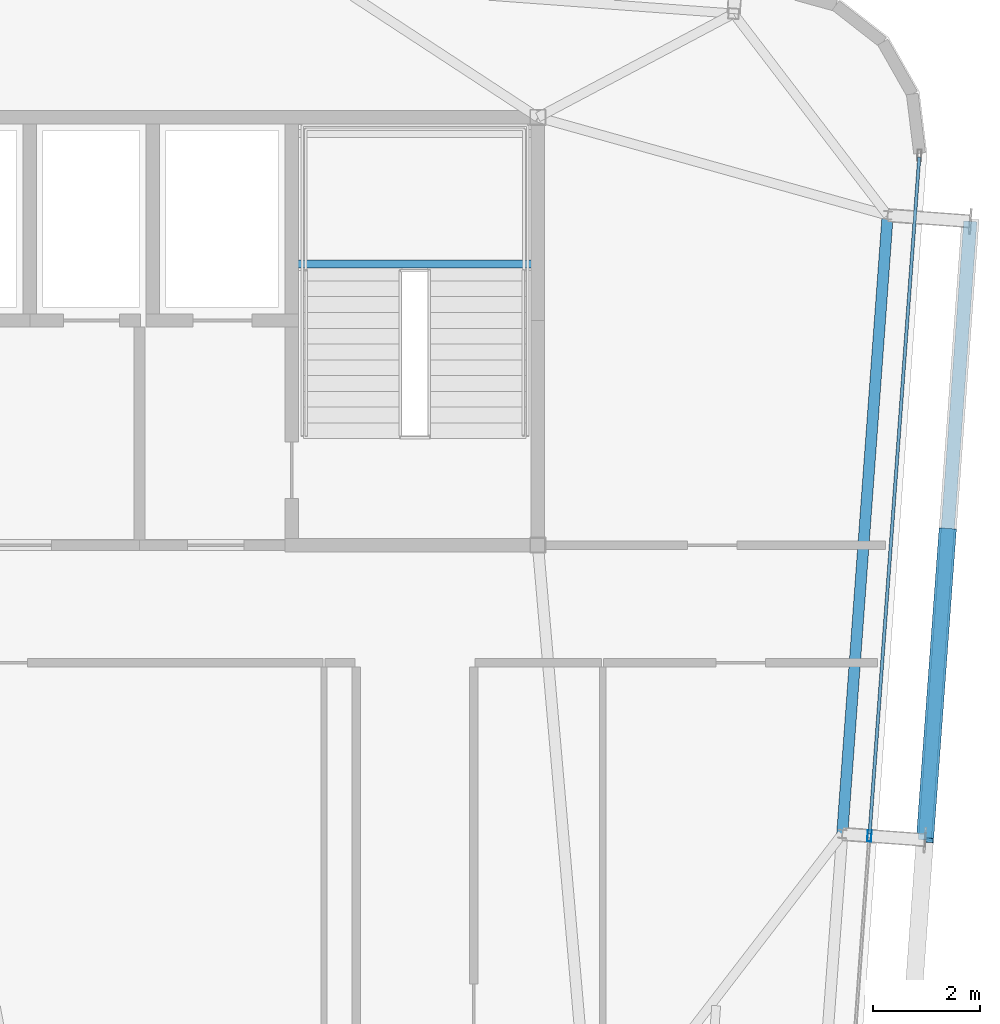
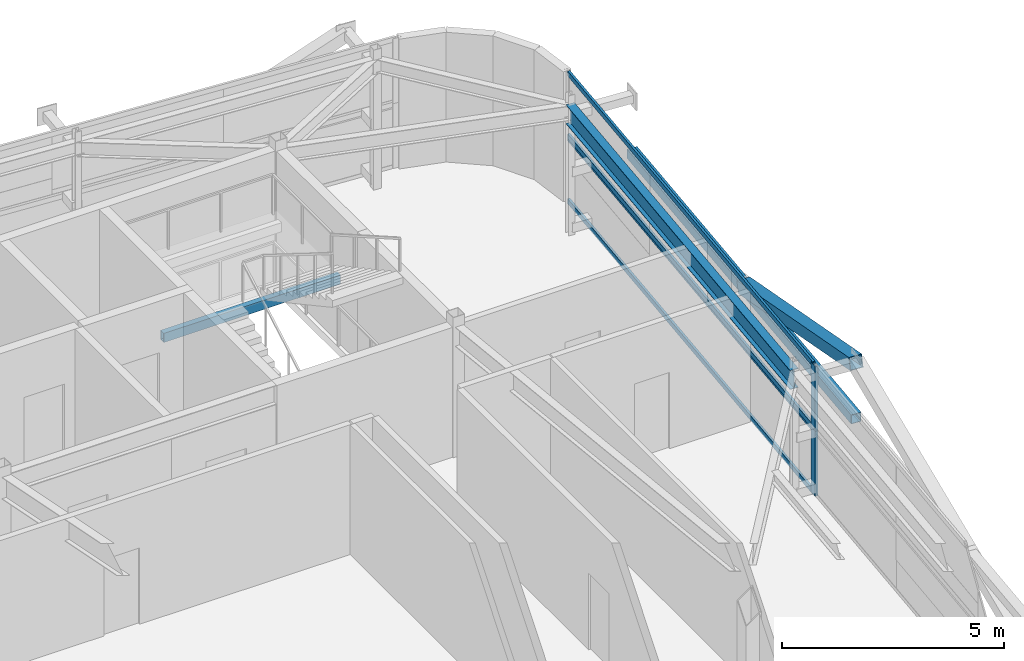
# One storey, part 17 of 35: 8 members, 2 beams, 2 elements without a shape of their own.
"""IFC4 building model written with IfcOpenShell, lengths in metres."""

import ifcopenshell
import ifcopenshell.guid

model = None  # the IFC model being written
_history = None  # IfcOwnerHistory: only IFC2X3 demands one
_inside = {}  # id of a spatial element -> (the spatial element, [elements in it])
_under = {}  # id of a project, library or spatial element -> (it, [spatial elements below it])
_declared = {}  # id of a project -> (the project, [libraries it declares])
_typed = {}  # id of a type object -> (the type object, [elements of that type])
_made_of = {}  # id of a material, layer set ... -> (it, [elements and type objects made of it])


def new_model(schema):
    """Start an empty IFC model of exactly this schema.

    Asked for "IFC4X3", IfcOpenShell would pick the latest addendum, in which some entities
    have other attributes; the version numbers below select the first issue.
    IFC2X3 requires an IfcOwnerHistory on every rooted entity: one is made here for all.
    """
    global model, _history
    if schema == "IFC4X3":
        model = ifcopenshell.file(schema_version=(4, 3, 0, 0))
    else:
        model = ifcopenshell.file(schema=schema)
    _inside.clear()
    _under.clear()
    _declared.clear()
    _typed.clear()
    _made_of.clear()
    _history = None
    if model.schema == "IFC2X3":
        org = make("IfcOrganization", Name="unknown")
        user = make(
            "IfcPersonAndOrganization",
            ThePerson=make("IfcPerson", FamilyName="unknown"),
            TheOrganization=org,
        )
        app = make(
            "IfcApplication",
            ApplicationDeveloper=org,
            Version="unknown",
            ApplicationFullName="unknown",
            ApplicationIdentifier="unknown",
        )
        _history = make(
            "IfcOwnerHistory",
            OwningUser=user,
            OwningApplication=app,
            ChangeAction="ADDED",
            CreationDate=0,
        )
    return model


def make(cls, **values):
    """One entity of the class cls with the attributes given. An attribute that is None is left unset."""
    return model.create_entity(
        cls, **{name: value for name, value in values.items() if value is not None}
    )


def rooted(cls, **values):
    """An entity with a GlobalId (a new one), such as an element, a storey or a relation."""
    return make(cls, GlobalId=ifcopenshell.guid.new(), OwnerHistory=_history, **values)


def si_unit(unit_type, name, prefix=None):
    """IfcSIUnit, for example si_unit("LENGTHUNIT", "METRE", prefix="MILLI")."""
    return make("IfcSIUnit", UnitType=unit_type, Prefix=prefix, Name=name)


def assignment(units):
    """IfcUnitAssignment: the units of a project."""
    return None if units is None else make("IfcUnitAssignment", Units=units)


def point(xyz):
    """IfcCartesianPoint."""
    return None if xyz is None else make("IfcCartesianPoint", Coordinates=xyz)


def direction(xyz):
    """IfcDirection."""
    return None if xyz is None else make("IfcDirection", DirectionRatios=xyz)


def frame(location, z_axis=None, x_axis=None):
    """IfcAxis2Placement3D, a coordinate frame: its origin and axes. An axis left out is left unset."""
    return make(
        "IfcAxis2Placement3D",
        Location=point(location),
        Axis=direction(z_axis),
        RefDirection=direction(x_axis),
    )


def frame_2d(location, x_axis=None):
    """IfcAxis2Placement2D, a coordinate frame in the plane: its origin and x axis."""
    return make(
        "IfcAxis2Placement2D", Location=point(location), RefDirection=direction(x_axis)
    )


def origin():
    """The frame at (0, 0, 0) with its axes left unset."""
    return frame((0.0, 0.0, 0.0))


def origin_2d():
    """The frame at (0, 0) in the plane with its x axis left unset."""
    return frame_2d((0.0, 0.0))


def place(relative_to, where):
    """IfcLocalPlacement: puts the frame where relative to a parent placement (None: the world)."""
    return make(
        "IfcLocalPlacement", PlacementRelTo=relative_to, RelativePlacement=where
    )


def context(
    kind, dimensions, precision=None, world=None, true_north=None, identifier=None
):
    """IfcGeometricRepresentationContext, for example the 3D "Model" context."""
    return make(
        "IfcGeometricRepresentationContext",
        ContextIdentifier=identifier,
        ContextType=kind,
        CoordinateSpaceDimension=dimensions,
        Precision=precision,
        WorldCoordinateSystem=world,
        TrueNorth=true_north,
    )


def subcontext(parent, identifier, kind, view, scale=None):
    """IfcGeometricRepresentationSubContext, for example "Body" below "Model"."""
    return make(
        "IfcGeometricRepresentationSubContext",
        ContextIdentifier=identifier,
        ContextType=kind,
        ParentContext=parent,
        TargetScale=scale,
        TargetView=view,
    )


def project(units=None, contexts=None):
    """IfcProject with its units and contexts."""
    return rooted(
        "IfcProject",
        Name="project",
        RepresentationContexts=contexts,
        UnitsInContext=assignment(units),
    )


def spatial(cls, under=None, at=None, **own):
    """A site, building, storey or space (cls), placed at a placement, below another one or the project."""
    s = rooted(cls, ObjectPlacement=at, **own)
    if under is not None:
        _under.setdefault(under.id(), (under, []))[1].append(s)
    return s


def profile(cls, at=None, kind="AREA", **sizes):
    """A parametric profile (cls). Its sizes go by their IFC names, for example OverallWidth=200.0."""
    return make(cls, ProfileType=kind, Position=at, **sizes)


def hollow_rectangle(**sizes):
    """IfcRectangleHollowProfileDef."""
    return profile("IfcRectangleHollowProfileDef", **sizes)


def i_section(**sizes):
    """IfcIShapeProfileDef."""
    return profile("IfcIShapeProfileDef", **sizes)


def extrude(swept, where, along, depth):
    """IfcExtrudedAreaSolid: the profile swept, set in the frame where, extruded along a direction by depth."""
    return make(
        "IfcExtrudedAreaSolid",
        SweptArea=swept,
        Position=where,
        ExtrudedDirection=direction(along),
        Depth=depth,
    )


def shape(context_of_items, identifier, shape_type, items):
    """IfcShapeRepresentation: the items that make up one representation, for example the "Body"."""
    return make(
        "IfcShapeRepresentation",
        ContextOfItems=context_of_items,
        RepresentationIdentifier=identifier,
        RepresentationType=shape_type,
        Items=items,
    )


def source(mapping_origin, context_of_items, identifier, shape_type, items):
    """IfcRepresentationMap: a shape defined once, which mapped items show again and again."""
    return make(
        "IfcRepresentationMap",
        MappingOrigin=mapping_origin,
        MappedRepresentation=shape(context_of_items, identifier, shape_type, items),
    )


def transform(
    local_origin,
    x_axis=None,
    y_axis=None,
    z_axis=None,
    scale=None,
    scale2=None,
    scale3=None,
    uniform=True,
):
    """IfcCartesianTransformationOperator3D, or its non-uniform kind. x_axis, y_axis, z_axis: its Axis1, 2, 3."""
    if uniform:
        return make(
            "IfcCartesianTransformationOperator3D",
            Axis1=direction(x_axis),
            Axis2=direction(y_axis),
            LocalOrigin=point(local_origin),
            Scale=scale,
            Axis3=direction(z_axis),
        )
    return make(
        "IfcCartesianTransformationOperator3DnonUniform",
        Axis1=direction(x_axis),
        Axis2=direction(y_axis),
        LocalOrigin=point(local_origin),
        Scale=scale,
        Axis3=direction(z_axis),
        Scale2=scale2,
        Scale3=scale3,
    )


def mapped(mapping_source, mapping_target):
    """IfcMappedItem: shows the shape of a source again, moved by a transform."""
    return make(
        "IfcMappedItem", MappingSource=mapping_source, MappingTarget=mapping_target
    )


def material(Name=None, Category=None):
    """IfcMaterial."""
    return make("IfcMaterial", Name=Name, Category=Category)


def layer(
    of_material, thickness, ventilated=None, Name=None, Category=None, Priority=None
):
    """IfcMaterialLayer: one layer of a wall or slab, of a material (None: an air gap)."""
    return make(
        "IfcMaterialLayer",
        Material=of_material,
        LayerThickness=thickness,
        IsVentilated=ventilated,
        Name=Name,
        Category=Category,
        Priority=Priority,
    )


def layer_set(layers, Name=None):
    """IfcMaterialLayerSet."""
    return make("IfcMaterialLayerSet", MaterialLayers=layers, LayerSetName=Name)


def material_profile(
    of_material, cross_section, Name=None, Category=None, Priority=None
):
    """IfcMaterialProfile: a cross section and its material."""
    return make(
        "IfcMaterialProfile",
        Name=Name,
        Material=of_material,
        Profile=cross_section,
        Priority=Priority,
        Category=Category,
    )


def profile_set(profiles, Name=None, composite=None):
    """IfcMaterialProfileSet."""
    return make(
        "IfcMaterialProfileSet",
        Name=Name,
        MaterialProfiles=profiles,
        CompositeProfile=composite,
    )


def made_of(thing, what):
    """Note that an element or type object is made of a material, layer set ...; save() writes the relation."""
    if what is not None:
        _made_of.setdefault(what.id(), (what, []))[1].append(thing)
    return thing


def type_object(cls, material=None, **own):
    """A type object (cls), such as IfcWallType, which elements share."""
    return made_of(rooted(cls, **own), material)


def element(
    cls,
    number,
    at=None,
    inside=None,
    cuts=None,
    type_object=None,
    material=None,
    context=None,
    identifier="Body",
    shape_type=None,
    held_by="IfcProductDefinitionShape",
    body=None,
    shapes=None,
    **own,
):
    """One element of the class cls, such as IfcWall. Its Tag is "e" and its number.

    at: its placement. inside: the storey or other place that contains it. cuts: it is an
    opening in that element (IfcRelVoidsElement). A single representation is given by context,
    identifier, shape_type and body (its items); several are given by shapes. held_by: the class
    of the entity that holds the representations. save() writes the other relations.
    """
    e = rooted(cls, Tag="e%d" % number, ObjectPlacement=at, **own)
    if body is not None:
        shapes = [shape(context, identifier, shape_type, body)]
    if shapes is not None:
        e.Representation = make(held_by, Representations=shapes)
    if inside is not None:
        _inside.setdefault(inside.id(), (inside, []))[1].append(e)
    if cuts is not None:
        rooted(
            "IfcRelVoidsElement", RelatingBuildingElement=cuts, RelatedOpeningElement=e
        )
    if type_object is not None:
        _typed.setdefault(type_object.id(), (type_object, []))[1].append(e)
    return made_of(e, material)


def aggregate(whole, parts):
    """IfcRelAggregates: a whole, such as a stair, and the parts it consists of."""
    return rooted("IfcRelAggregates", RelatingObject=whole, RelatedObjects=parts)


def save(model, path):
    """Write the relations noted so far, then the file.

    IfcRelAggregates (storeys below a building ...), IfcRelContainedInSpatialStructure (elements
    in a storey), IfcRelDefinesByType, IfcRelAssociatesMaterial and IfcRelDeclares: one each for
    every whole, place, type object, material and project.
    """
    for whole, parts in _under.values():
        aggregate(whole, parts)
    for where, things in _inside.values():
        rooted(
            "IfcRelContainedInSpatialStructure",
            RelatedElements=things,
            RelatingStructure=where,
        )
    for kind, things in _typed.values():
        rooted("IfcRelDefinesByType", RelatedObjects=things, RelatingType=kind)
    for what, things in _made_of.values():
        rooted("IfcRelAssociatesMaterial", RelatedObjects=things, RelatingMaterial=what)
    for by, libraries in _declared.values():
        rooted("IfcRelDeclares", RelatingContext=by, RelatedDefinitions=libraries)
    model.write(path)


model = new_model("IFC4")

# Units and contexts
model_context = context("Model", 3, precision=1e-05, world=origin(), true_north=direction((0.0, 1.0)))
body_context = subcontext(model_context, "Body", "Model", "MODEL_VIEW")
ifc_project = project(units=[si_unit("LENGTHUNIT", "METRE"), si_unit("AREAUNIT", "SQUARE_METRE"), si_unit("VOLUMEUNIT", "CUBIC_METRE"), si_unit("PLANEANGLEUNIT", "RADIAN"), si_unit("MASSUNIT", "GRAM", prefix="KILO")], contexts=[model_context])

# Site, building, storey
site_placement = place(None, origin())
site = spatial("IfcSite", under=ifc_project, at=site_placement, CompositionType="ELEMENT")
building_placement = place(site_placement, origin())
building = spatial("IfcBuilding", under=site, at=building_placement, Name="Taldren Reach Tower", CompositionType="ELEMENT")
storey_placement = place(building_placement, frame((0.0, 0.0, 249.199951171875)))
storey = spatial("IfcBuildingStorey", under=building, at=storey_placement, Name="L76", CompositionType="ELEMENT", Elevation=249.199951171875)

# Beam
ifc_material_1 = material(Name="Steel Gr 350 (350PLUS)", Category="steel")
ifc_material_profile_1 = material_profile(ifc_material_1, i_section(OverallWidth=0.208984375, OverallDepth=0.528076171875, WebThickness=0.009521484375, FlangeThickness=0.01318359375, at=origin_2d()), Name="530UB82.0")
ifc_profile_set_1 = profile_set([ifc_material_profile_1], Name="Steel Gr 350 (350PLUS)")
beam_type_1 = type_object("IfcBeamType", Name="SP-UB530B", PredefinedType="SPANDREL", material=ifc_profile_set_1)
shared_shape_1 = source(origin(), body_context, "Body", "SweptSolid", [
    extrude(i_section(OverallWidth=0.208984375, OverallDepth=0.528076171875, WebThickness=0.009521484375, FlangeThickness=0.01318359375, at=origin_2d()), origin(), (0.0, 0.0, 1.0), 11.60009765625),
])
beam_1_placement = place(storey_placement, frame((56.69140625, 18.599853515625, 3.30615234375), z_axis=(0.073221234109, 0.997315722766, 0.0), x_axis=(-0.997315722766, 0.073221234109, 0.0)))
element("IfcBeam", 1, at=beam_1_placement, inside=storey, type_object=beam_type_1, Name="Perimeter spandrel B5 E2-E3 L76", PredefinedType="SPANDREL", context=body_context, shape_type="MappedRepresentation", body=[
    mapped(shared_shape_1, transform((0.0, 0.0, 0.0), scale=1.0)),
])

# Members
ifc_material_2 = material(Name="Steel Gr 350 (C350L0)", Category="steel")
ifc_material_profile_2 = material_profile(ifc_material_2, hollow_rectangle(XDim=0.25, YDim=0.25, WallThickness=0.010009765625, at=origin_2d()), Name="250x250x10.0SHS")
ifc_profile_set_2 = profile_set([ifc_material_profile_2], Name="Steel Gr 350 (C350L0)")
member_type_1 = type_object("IfcMemberType", Name="MB-POST250", PredefinedType="POST", material=ifc_profile_set_2)
shared_shape_2 = source(origin(), body_context, "Body", "SweptSolid", [
    extrude(hollow_rectangle(XDim=0.25, YDim=0.25, WallThickness=0.010009765625, at=origin_2d()), origin(), (0.0, 0.0, 1.0), 11.60009765625),
])
member_1_placement = place(storey_placement, frame((58.237060546875, 18.486328125, 1.755126953125), z_axis=(0.073242167855, 0.997314185625, 0.0), x_axis=(-0.997314185625, 0.073242167855, 0.0)))
element("IfcMember", 2, at=member_1_placement, inside=storey, type_object=member_type_1, Name="Exoskeleton mid-height ring chord B5-E2 L76", PredefinedType="POST", context=body_context, shape_type="MappedRepresentation", body=[
    mapped(shared_shape_2, transform((0.0, 0.0, 0.0), scale=1.0)),
])
ifc_material_3 = material(Name="Steel Gr 450 (C450L0)", Category="steel")
ifc_material_profile_3 = material_profile(ifc_material_3, hollow_rectangle(XDim=0.324951171875, YDim=0.324951171875, WallThickness=0.0126953125, at=origin_2d()), Name="325x325x12.7SHS")
ifc_profile_set_3 = profile_set([ifc_material_profile_3], Name="Steel Gr 450 (C450L0)")
member_type_2 = type_object("IfcMemberType", Name="MB-BR324", PredefinedType="BRACE", material=ifc_profile_set_3)
shared_shape_3 = source(origin(), body_context, "Body", "SweptSolid", [
    extrude(hollow_rectangle(XDim=0.324951171875, YDim=0.324951171875, WallThickness=0.0126953125, at=origin_2d()), origin(), (0.0, 0.0, 1.0), 5.999755859375),
])
member_2_placement = place(storey_placement, frame((58.661865234375, 24.270751953125, 1.755126953125), z_axis=(-0.070804741284, -0.964124560479, 0.255832993362), x_axis=(0.997314185625, -0.073242167855, 0.0)))
element("IfcMember", 3, at=member_2_placement, inside=storey, type_object=member_type_2, Name="Exoskeleton Diagrid Brace B5-E2 L76", PredefinedType="BRACE", context=body_context, shape_type="MappedRepresentation", body=[
    mapped(shared_shape_3, transform((0.0, 0.0, 0.0), scale=1.0)),
])

# Curtain wall, members
ifc_material_4 = material(Name="Aluminium and Low-E Glass Unitised System", Category="aluminium")
ifc_layer = layer(ifc_material_4, 0.159912109375)
ifc_layer_set = layer_set([ifc_layer], Name="Aluminium and Low-E Glass Unitised System")
curtain_wall_type = type_object("IfcCurtainWallType", Name="CW-SYS-6", PredefinedType="NOTDEFINED", material=ifc_layer_set)
curtain_wall_1_placement = place(storey_placement, origin())
curtain_wall_1 = element("IfcCurtainWall", 4, at=curtain_wall_1_placement, inside=storey, type_object=curtain_wall_type, Name="Unitised curtain wall CW-L76-E", PredefinedType="NOTDEFINED")
ifc_material_5 = material(Name="Anodised Aluminium 6063-T6", Category="aluminium")
ifc_material_profile_4 = material_profile(ifc_material_5, hollow_rectangle(XDim=0.06005859375, YDim=0.135009765625, WallThickness=0.00341796875, at=origin_2d()), Name="ALU-135x60x3.5RHS")
ifc_profile_set_4 = profile_set([ifc_material_profile_4], Name="Anodised Aluminium 6063-T6")
member_type_3 = type_object("IfcMemberType", Name="CW-TRN-150", PredefinedType="USERDEFINED", material=ifc_profile_set_4)
shared_shape_4 = source(origin(), body_context, "Body", "SweptSolid", [
    extrude(hollow_rectangle(XDim=0.06005859375, YDim=0.135009765625, WallThickness=0.00341796875, at=origin_2d()), origin(), (0.0, 0.0, 1.0), 12.6875),
])
member_3_placement = place(storey_placement, frame((57.20263671875, 18.599853515625, 0.030029296875), z_axis=(0.073237997916, 0.997314491854, 0.0), x_axis=(-0.997314491854, 0.073237997916, 0.0)))
member_3 = element("IfcMember", 5, at=member_3_placement, type_object=member_type_3, Name="CW-6 transom 2.1", ObjectType="TRANSOM", PredefinedType="USERDEFINED", context=body_context, shape_type="MappedRepresentation", body=[
    mapped(shared_shape_4, transform((0.0, 0.0, 0.0), scale=1.0)),
])
member_4_placement = place(storey_placement, frame((57.20263671875, 18.599853515625, 1.755126953125), z_axis=(0.073237997916, 0.997314491854, 0.0), x_axis=(-0.997314491854, 0.073237997916, 0.0)))
member_4 = element("IfcMember", 6, at=member_4_placement, type_object=member_type_3, Name="CW-6 transom 2.2", ObjectType="TRANSOM", PredefinedType="USERDEFINED", context=body_context, shape_type="MappedRepresentation", body=[
    mapped(shared_shape_4, transform((0.0, 0.0, 0.0), scale=1.0)),
])

curtain_wall_2_placement = place(storey_placement, origin())
curtain_wall_2 = element("IfcCurtainWall", 7, at=curtain_wall_2_placement, inside=storey, type_object=curtain_wall_type, Name="Unitised curtain wall CW-L76-E-T2", PredefinedType="NOTDEFINED")
member_5_placement = place(storey_placement, frame((57.20263671875, 18.599853515625, 1.81494140625), z_axis=(0.073237997916, 0.997314491854, 0.0), x_axis=(-0.997314491854, 0.073237997916, 0.0)))
member_5 = element("IfcMember", 8, at=member_5_placement, type_object=member_type_3, Name="CW-6 transom 2.1", ObjectType="TRANSOM", PredefinedType="USERDEFINED", context=body_context, shape_type="MappedRepresentation", body=[
    mapped(shared_shape_4, transform((0.0, 0.0, 0.0), scale=1.0)),
])
member_6_placement = place(storey_placement, frame((57.20263671875, 18.599853515625, 3.5400390625), z_axis=(0.073237997916, 0.997314491854, 0.0), x_axis=(-0.997314491854, 0.073237997916, 0.0)))
member_6 = element("IfcMember", 9, at=member_6_placement, type_object=member_type_3, Name="CW-6 transom 2.2", ObjectType="TRANSOM", PredefinedType="USERDEFINED", context=body_context, shape_type="MappedRepresentation", body=[
    mapped(shared_shape_4, transform((0.0, 0.0, 0.0), scale=1.0)),
])

# Member
ifc_material_profile_5 = material_profile(ifc_material_5, hollow_rectangle(XDim=0.074951171875, YDim=0.2099609375, WallThickness=0.00439453125, at=origin_2d()), Name="ALU-210x75x4.5RHS")
ifc_profile_set_5 = profile_set([ifc_material_profile_5], Name="Anodised Aluminium 6063-T6")
member_type_4 = type_object("IfcMemberType", Name="CW-MUL-200", PredefinedType="MULLION", material=ifc_profile_set_5)
shared_shape_5 = source(origin(), body_context, "Body", "SweptSolid", [
    extrude(hollow_rectangle(XDim=0.074951171875, YDim=0.2099609375, WallThickness=0.00439453125, at=origin_2d()), origin(), (0.0, 0.0, 1.0), 1.78515625),
])
member_7_placement = place(storey_placement, frame((57.199951171875, 18.5625, 0.0), z_axis=(0.0, 0.0, 1.0), x_axis=(-0.997314470951, 0.073238282558, 0.0)))
member_7 = element("IfcMember", 10, at=member_7_placement, type_object=member_type_4, Name="CW-6 mullion 2", PredefinedType="MULLION", context=body_context, shape_type="MappedRepresentation", body=[
    mapped(shared_shape_5, transform((0.0, 0.0, 0.0), scale=1.0)),
])

aggregate(curtain_wall_1, [member_7, member_3, member_4])

shared_shape_6 = source(origin(), body_context, "Body", "SweptSolid", [
    extrude(hollow_rectangle(XDim=0.074951171875, YDim=0.2099609375, WallThickness=0.00439453125, at=origin_2d()), origin(), (0.0, 0.0, 1.0), 1.784912109375),
])
member_8_placement = place(storey_placement, frame((57.199951171875, 18.5625, 1.78515625), z_axis=(0.0, 0.0, 1.0), x_axis=(-0.997314470951, 0.073238282558, 0.0)))
member_8 = element("IfcMember", 11, at=member_8_placement, type_object=member_type_4, Name="CW-6 mullion 2", PredefinedType="MULLION", context=body_context, shape_type="MappedRepresentation", body=[
    mapped(shared_shape_6, transform((0.0, 0.0, 0.0), scale=1.0)),
])

aggregate(curtain_wall_2, [member_8, member_5, member_6])

# Beam
ifc_material_profile_6 = material_profile(ifc_material_2, hollow_rectangle(XDim=0.14990234375, YDim=0.25, WallThickness=0.009033203125, at=origin_2d()), Name="250x150x9.0RHS")
ifc_profile_set_6 = profile_set([ifc_material_profile_6], Name="Steel Gr 350 (C350L0)")
beam_type_2 = type_object("IfcBeamType", Name="LN-RHS250", PredefinedType="LINTEL", material=ifc_profile_set_6)
shared_shape_7 = source(origin(), body_context, "Body", "SweptSolid", [
    extrude(hollow_rectangle(XDim=0.14990234375, YDim=0.25, WallThickness=0.009033203125, at=origin_2d()), origin(), (0.0, 0.0, 1.0), 4.60009765625),
])
beam_2_placement = place(storey_placement, frame((46.39990234375, 29.2548828125, 1.6201171875), z_axis=(1.0, 0.0, 0.0), x_axis=(0.0, 1.0, 0.0)))
element("IfcBeam", 12, at=beam_2_placement, inside=storey, type_object=beam_type_2, Name="Stair half-landing support beam ST2-L76-1", PredefinedType="LINTEL", context=body_context, shape_type="MappedRepresentation", body=[
    mapped(shared_shape_7, transform((0.0, 0.0, 0.0), scale=1.0)),
])

save(model, "model.ifc")
